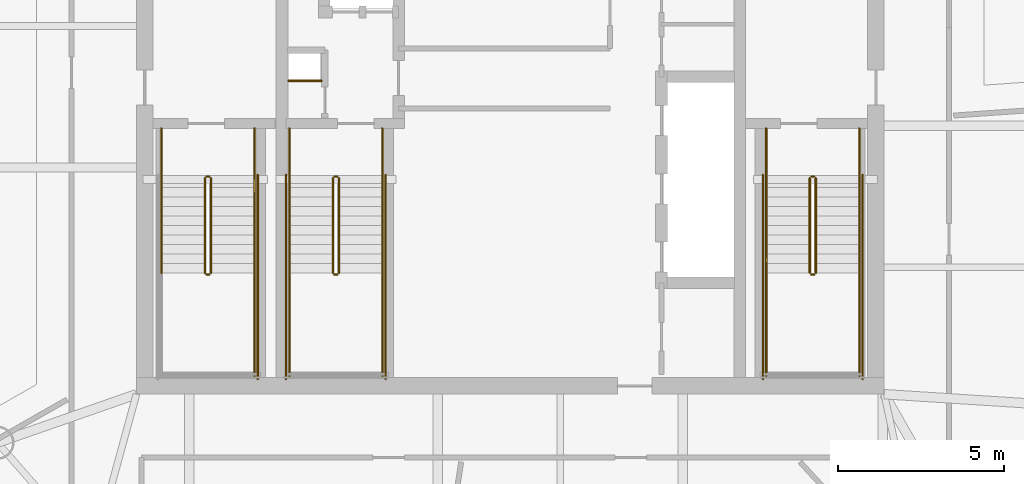
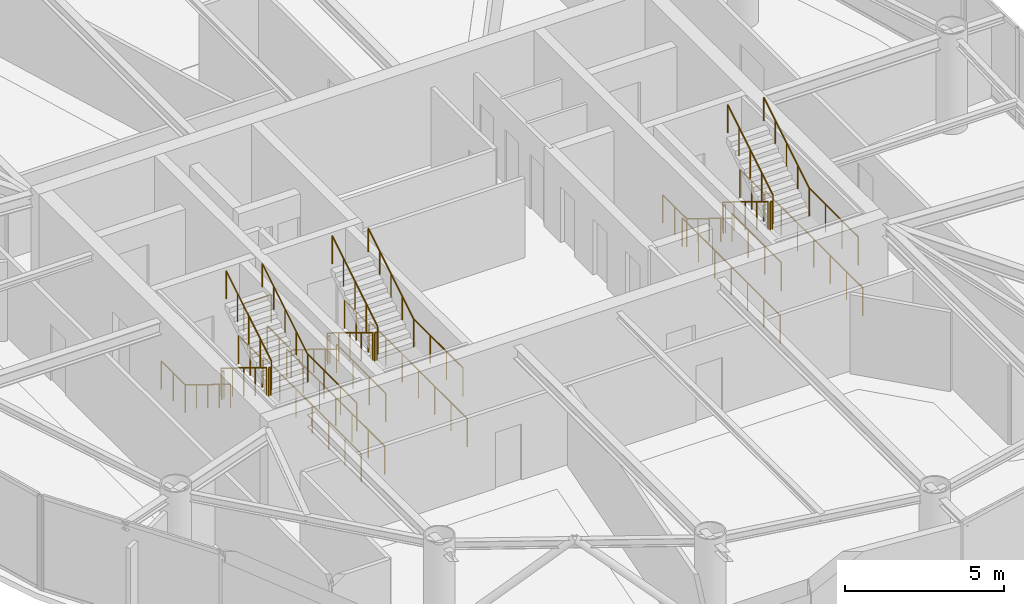
# One storey, part 18 of 19: 35 railings.
"""IFC4 building model written with IfcOpenShell, lengths in metres."""

from ifc_helpers import new_model, si_unit, direction, frame, origin, origin_2d, place, context, subcontext, project, spatial, circle, extrude, material, type_object, element, save


model = new_model("IFC4")

# Units and contexts
model_context = context("Model", 3, precision=1e-05, world=origin(), true_north=direction((0.0, 1.0)))
body_context = subcontext(model_context, "Body", "Model", "MODEL_VIEW")
ifc_project = project(units=[si_unit("LENGTHUNIT", "METRE"), si_unit("AREAUNIT", "SQUARE_METRE"), si_unit("VOLUMEUNIT", "CUBIC_METRE"), si_unit("PLANEANGLEUNIT", "RADIAN"), si_unit("MASSUNIT", "GRAM", prefix="KILO")], contexts=[model_context])

# Site, building, storey
site_placement = place(None, origin())
site = spatial("IfcSite", under=ifc_project, at=site_placement, CompositionType="ELEMENT")
building_placement = place(site_placement, origin())
building = spatial("IfcBuilding", under=site, at=building_placement, Name="Bramvorn Convention Spire", CompositionType="ELEMENT")
storey_placement = place(building_placement, frame((0.0, 0.0, 299.800048828125)))
storey = spatial("IfcBuildingStorey", under=building, at=storey_placement, Name="L76", CompositionType="ELEMENT", Elevation=299.800048828125)

# Railings
ifc_material_1 = material(Name="Painted Steel Balustrade & Guardrail", Category="steel")
railing_type_1 = type_object("IfcRailingType", Name="RL-STAIR-GUARD-1100", PredefinedType="GUARDRAIL", material=ifc_material_1)
railing_1_placement = place(storey_placement, frame((28.81005859375, 25.050048828125, 0.175048828125)))
element("IfcRailing", 1, at=railing_1_placement, inside=storey, type_object=railing_type_1, Name="L76 ST1 stair guard 1", PredefinedType="GUARDRAIL", context=body_context, shape_type="SweptSolid", body=[
    extrude(circle(Radius=0.02392578125, at=origin_2d()), frame((0.0, 0.0, 1.076171875), z_axis=(0.0, -0.852179220489, 0.52325001306), x_axis=(1.0, 0.0, 0.0)), (0.0, 0.0, 1.0), 3.344482421875),
    extrude(circle(Radius=0.02099609375, at=origin_2d()), origin(), (0.0, 0.0, 1.0), 1.052001953125),
    extrude(circle(Radius=0.02099609375, at=origin_2d()), frame((0.0, -0.71240234375, 0.4375)), (0.0, 0.0, 1.0), 1.052001953125),
    extrude(circle(Radius=0.02099609375, at=origin_2d()), frame((0.0, -1.425048828125, 0.875)), (0.0, 0.0, 1.0), 1.052001953125),
    extrude(circle(Radius=0.02099609375, at=origin_2d()), frame((0.0, -2.1376953125, 1.3125)), (0.0, 0.0, 1.0), 1.052001953125),
    extrude(circle(Radius=0.02099609375, at=origin_2d()), frame((0.0, -2.85009765625, 1.75)), (0.0, 0.0, 1.0), 1.052001953125),
])
railing_2_placement = place(storey_placement, frame((28.860107421875, 22.14990234375, 1.925048828125)))
element("IfcRailing", 2, at=railing_2_placement, inside=storey, type_object=railing_type_1, Name="L76 ST1 stair guard 2", PredefinedType="GUARDRAIL", context=body_context, shape_type="SweptSolid", body=[
    extrude(circle(Radius=0.02392578125, at=origin_2d()), frame((0.0, 0.0, 1.076171875), z_axis=(1.0, 0.0, 0.0), x_axis=(0.0, 1.0, 0.0)), (0.0, 0.0, 1.0), 0.079833984375),
    extrude(circle(Radius=0.02099609375, at=origin_2d()), origin(), (0.0, 0.0, 1.0), 1.052001953125),
    extrude(circle(Radius=0.02099609375, at=origin_2d()), frame((0.079833984375, 0.0, 0.0)), (0.0, 0.0, 1.0), 1.052001953125),
])
railing_3_placement = place(storey_placement, frame((30.300048828125, 22.199951171875, 1.925048828125)))
element("IfcRailing", 3, at=railing_3_placement, inside=storey, type_object=railing_type_1, Name="L76 ST1 stair guard 4", PredefinedType="GUARDRAIL", context=body_context, shape_type="SweptSolid", body=[
    extrude(circle(Radius=0.02392578125, at=origin_2d()), frame((0.0, 0.0, 1.076171875), z_axis=(0.0, -1.0, 0.0), x_axis=(1.0, 0.0, 0.0)), (0.0, 0.0, 1.0), 3.099853515625),
    extrude(circle(Radius=0.02099609375, at=origin_2d()), origin(), (0.0, 0.0, 1.0), 1.052001953125),
    extrude(circle(Radius=0.02099609375, at=origin_2d()), frame((0.0, -1.033203125, 0.0)), (0.0, 0.0, 1.0), 1.052001953125),
    extrude(circle(Radius=0.02099609375, at=origin_2d()), frame((0.0, -2.066650390625, 0.0)), (0.0, 0.0, 1.0), 1.052001953125),
    extrude(circle(Radius=0.02099609375, at=origin_2d()), frame((0.0, -3.099853515625, 0.0)), (0.0, 0.0, 1.0), 1.052001953125),
])
railing_4_placement = place(storey_placement, frame((28.989990234375, 22.199951171875, 2.099853515625)))
element("IfcRailing", 4, at=railing_4_placement, inside=storey, type_object=railing_type_1, Name="L76 ST1 stair guard 6", PredefinedType="GUARDRAIL", context=body_context, shape_type="SweptSolid", body=[
    extrude(circle(Radius=0.02392578125, at=origin_2d()), frame((0.0, 0.0, 1.076171875), z_axis=(0.0, 0.852179220489, 0.52325001306), x_axis=(-1.0, 0.0, 0.0)), (0.0, 0.0, 1.0), 3.344482421875),
    extrude(circle(Radius=0.02099609375, at=origin_2d()), origin(), (0.0, 0.0, 1.0), 1.052001953125),
    extrude(circle(Radius=0.02099609375, at=origin_2d()), frame((0.0, 0.71240234375, 0.4375)), (0.0, 0.0, 1.0), 1.052001953125),
    extrude(circle(Radius=0.02099609375, at=origin_2d()), frame((0.0, 1.425048828125, 0.875)), (0.0, 0.0, 1.0), 1.052001953125),
    extrude(circle(Radius=0.02099609375, at=origin_2d()), frame((0.0, 2.1376953125, 1.3125)), (0.0, 0.0, 1.0), 1.052001953125),
    extrude(circle(Radius=0.02099609375, at=origin_2d()), frame((0.0, 2.85009765625, 1.75)), (0.0, 0.0, 1.0), 1.052001953125),
])
railing_5_placement = place(storey_placement, frame((28.860107421875, 25.10009765625, 0.0)))
element("IfcRailing", 5, at=railing_5_placement, inside=storey, type_object=railing_type_1, Name="L76 ST1 stair guard 7", PredefinedType="GUARDRAIL", context=body_context, shape_type="SweptSolid", body=[
    extrude(circle(Radius=0.02392578125, at=origin_2d()), frame((0.0, 0.0, 1.076171875), z_axis=(1.0, 0.0, 0.0), x_axis=(0.0, 1.0, 0.0)), (0.0, 0.0, 1.0), 0.079833984375),
    extrude(circle(Radius=0.02099609375, at=origin_2d()), origin(), (0.0, 0.0, 1.0), 1.052001953125),
    extrude(circle(Radius=0.02099609375, at=origin_2d()), frame((0.079833984375, 0.0, 0.0)), (0.0, 0.0, 1.0), 1.052001953125),
])
for number, where, name in (
    (6, (27.5, 26.550048828125, 0.0), "L76 ST1 stair guard 8"),
    (7, (30.300048828125, 26.550048828125, 0.0), "L76 ST1 stair guard 9"),
):
    element("IfcRailing", number, at=place(storey_placement, frame(where)), inside=storey, type_object=railing_type_1, Name=name, PredefinedType="GUARDRAIL", context=body_context, shape_type="SweptSolid", body=[
        extrude(circle(Radius=0.02392578125, at=origin_2d()), frame((0.0, 0.0, 1.076171875), z_axis=(0.0, -1.0, 0.0), x_axis=(1.0, 0.0, 0.0)), (0.0, 0.0, 1.0), 1.5),
        extrude(circle(Radius=0.02099609375, at=origin_2d()), origin(), (0.0, 0.0, 1.0), 1.052001953125),
        extrude(circle(Radius=0.02099609375, at=origin_2d()), frame((0.0, -0.75, 0.0)), (0.0, 0.0, 1.0), 1.052001953125),
        extrude(circle(Radius=0.02099609375, at=origin_2d()), frame((0.0, -1.5, 0.0)), (0.0, 0.0, 1.0), 1.052001953125),
    ])
railing_6_placement = place(storey_placement, frame((30.39990234375, 25.14990234375, 0.0)))
element("IfcRailing", 8, at=railing_6_placement, inside=storey, type_object=railing_type_1, Name="L76 ST1 stair guard 11", PredefinedType="GUARDRAIL", context=body_context, shape_type="SweptSolid", body=[
    extrude(circle(Radius=0.02392578125, at=origin_2d()), frame((0.0, 0.0, 1.076171875), z_axis=(0.0, -1.0, 0.0), x_axis=(1.0, 0.0, 0.0)), (0.0, 0.0, 1.0), 6.14990234375),
    extrude(circle(Radius=0.02099609375, at=origin_2d()), origin(), (0.0, 0.0, 1.0), 1.052001953125),
    extrude(circle(Radius=0.02099609375, at=origin_2d()), frame((0.0, -1.02490234375, 0.0)), (0.0, 0.0, 1.0), 1.052001953125),
    extrude(circle(Radius=0.02099609375, at=origin_2d()), frame((0.0, -2.050048828125, 0.0)), (0.0, 0.0, 1.0), 1.052001953125),
    extrude(circle(Radius=0.02099609375, at=origin_2d()), frame((0.0, -3.074951171875, 0.0)), (0.0, 0.0, 1.0), 1.052001953125),
    extrude(circle(Radius=0.02099609375, at=origin_2d()), frame((0.0, -4.099853515625, 0.0)), (0.0, 0.0, 1.0), 1.052001953125),
    extrude(circle(Radius=0.02099609375, at=origin_2d()), frame((0.0, -5.125, 0.0)), (0.0, 0.0, 1.0), 1.052001953125),
    extrude(circle(Radius=0.02099609375, at=origin_2d()), frame((0.0, -6.14990234375, 0.0)), (0.0, 0.0, 1.0), 1.052001953125),
])
railing_7_placement = place(storey_placement, frame((47.010009765625, 25.050048828125, 0.175048828125)))
element("IfcRailing", 9, at=railing_7_placement, inside=storey, type_object=railing_type_1, Name="L76 ST2 stair guard 1", PredefinedType="GUARDRAIL", context=body_context, shape_type="SweptSolid", body=[
    extrude(circle(Radius=0.02392578125, at=origin_2d()), frame((0.0, 0.0, 1.076171875), z_axis=(0.0, -0.852179220489, 0.52325001306), x_axis=(1.0, 0.0, 0.0)), (0.0, 0.0, 1.0), 3.344482421875),
    extrude(circle(Radius=0.02099609375, at=origin_2d()), origin(), (0.0, 0.0, 1.0), 1.052001953125),
    extrude(circle(Radius=0.02099609375, at=origin_2d()), frame((0.0, -0.71240234375, 0.4375)), (0.0, 0.0, 1.0), 1.052001953125),
    extrude(circle(Radius=0.02099609375, at=origin_2d()), frame((0.0, -1.425048828125, 0.875)), (0.0, 0.0, 1.0), 1.052001953125),
    extrude(circle(Radius=0.02099609375, at=origin_2d()), frame((0.0, -2.1376953125, 1.3125)), (0.0, 0.0, 1.0), 1.052001953125),
    extrude(circle(Radius=0.02099609375, at=origin_2d()), frame((0.0, -2.85009765625, 1.75)), (0.0, 0.0, 1.0), 1.052001953125),
])
railing_8_placement = place(storey_placement, frame((47.06005859375, 22.14990234375, 1.925048828125)))
element("IfcRailing", 10, at=railing_8_placement, inside=storey, type_object=railing_type_1, Name="L76 ST2 stair guard 2", PredefinedType="GUARDRAIL", context=body_context, shape_type="SweptSolid", body=[
    extrude(circle(Radius=0.02392578125, at=origin_2d()), frame((0.0, 0.0, 1.076171875), z_axis=(1.0, 0.0, 0.0), x_axis=(0.0, 1.0, 0.0)), (0.0, 0.0, 1.0), 0.079833984375),
    extrude(circle(Radius=0.02099609375, at=origin_2d()), origin(), (0.0, 0.0, 1.0), 1.052001953125),
    extrude(circle(Radius=0.02099609375, at=origin_2d()), frame((0.079833984375, 0.0, 0.0)), (0.0, 0.0, 1.0), 1.052001953125),
])
for number, where, name in (
    (11, (45.699951171875, 22.199951171875, 1.925048828125), "L76 ST2 stair guard 3"),
    (12, (48.5, 22.199951171875, 1.925048828125), "L76 ST2 stair guard 4"),
):
    element("IfcRailing", number, at=place(storey_placement, frame(where)), inside=storey, type_object=railing_type_1, Name=name, PredefinedType="GUARDRAIL", context=body_context, shape_type="SweptSolid", body=[
        extrude(circle(Radius=0.02392578125, at=origin_2d()), frame((0.0, 0.0, 1.076171875), z_axis=(0.0, -1.0, 0.0), x_axis=(1.0, 0.0, 0.0)), (0.0, 0.0, 1.0), 3.099853515625),
        extrude(circle(Radius=0.02099609375, at=origin_2d()), origin(), (0.0, 0.0, 1.0), 1.052001953125),
        extrude(circle(Radius=0.02099609375, at=origin_2d()), frame((0.0, -1.033203125, 0.0)), (0.0, 0.0, 1.0), 1.052001953125),
        extrude(circle(Radius=0.02099609375, at=origin_2d()), frame((0.0, -2.066650390625, 0.0)), (0.0, 0.0, 1.0), 1.052001953125),
        extrude(circle(Radius=0.02099609375, at=origin_2d()), frame((0.0, -3.099853515625, 0.0)), (0.0, 0.0, 1.0), 1.052001953125),
    ])
railing_9_placement = place(storey_placement, frame((47.18994140625, 22.199951171875, 2.099853515625)))
element("IfcRailing", 13, at=railing_9_placement, inside=storey, type_object=railing_type_1, Name="L76 ST2 stair guard 6", PredefinedType="GUARDRAIL", context=body_context, shape_type="SweptSolid", body=[
    extrude(circle(Radius=0.02392578125, at=origin_2d()), frame((0.0, 0.0, 1.076171875), z_axis=(0.0, 0.852179220489, 0.52325001306), x_axis=(-1.0, 0.0, 0.0)), (0.0, 0.0, 1.0), 3.344482421875),
    extrude(circle(Radius=0.02099609375, at=origin_2d()), origin(), (0.0, 0.0, 1.0), 1.052001953125),
    extrude(circle(Radius=0.02099609375, at=origin_2d()), frame((0.0, 0.71240234375, 0.4375)), (0.0, 0.0, 1.0), 1.052001953125),
    extrude(circle(Radius=0.02099609375, at=origin_2d()), frame((0.0, 1.425048828125, 0.875)), (0.0, 0.0, 1.0), 1.052001953125),
    extrude(circle(Radius=0.02099609375, at=origin_2d()), frame((0.0, 2.1376953125, 1.3125)), (0.0, 0.0, 1.0), 1.052001953125),
    extrude(circle(Radius=0.02099609375, at=origin_2d()), frame((0.0, 2.85009765625, 1.75)), (0.0, 0.0, 1.0), 1.052001953125),
])
railing_10_placement = place(storey_placement, frame((47.06005859375, 25.10009765625, 0.0)))
element("IfcRailing", 14, at=railing_10_placement, inside=storey, type_object=railing_type_1, Name="L76 ST2 stair guard 7", PredefinedType="GUARDRAIL", context=body_context, shape_type="SweptSolid", body=[
    extrude(circle(Radius=0.02392578125, at=origin_2d()), frame((0.0, 0.0, 1.076171875), z_axis=(1.0, 0.0, 0.0), x_axis=(0.0, 1.0, 0.0)), (0.0, 0.0, 1.0), 0.079833984375),
    extrude(circle(Radius=0.02099609375, at=origin_2d()), origin(), (0.0, 0.0, 1.0), 1.052001953125),
    extrude(circle(Radius=0.02099609375, at=origin_2d()), frame((0.079833984375, 0.0, 0.0)), (0.0, 0.0, 1.0), 1.052001953125),
])
for number, where, name in (
    (15, (45.699951171875, 26.550048828125, 0.0), "L76 ST2 stair guard 8"),
    (16, (48.5, 26.550048828125, 0.0), "L76 ST2 stair guard 9"),
):
    element("IfcRailing", number, at=place(storey_placement, frame(where)), inside=storey, type_object=railing_type_1, Name=name, PredefinedType="GUARDRAIL", context=body_context, shape_type="SweptSolid", body=[
        extrude(circle(Radius=0.02392578125, at=origin_2d()), frame((0.0, 0.0, 1.076171875), z_axis=(0.0, -1.0, 0.0), x_axis=(1.0, 0.0, 0.0)), (0.0, 0.0, 1.0), 1.5),
        extrude(circle(Radius=0.02099609375, at=origin_2d()), origin(), (0.0, 0.0, 1.0), 1.052001953125),
        extrude(circle(Radius=0.02099609375, at=origin_2d()), frame((0.0, -0.75, 0.0)), (0.0, 0.0, 1.0), 1.052001953125),
        extrude(circle(Radius=0.02099609375, at=origin_2d()), frame((0.0, -1.5, 0.0)), (0.0, 0.0, 1.0), 1.052001953125),
    ])
for number, where, name in (
    (17, (45.60009765625, 25.14990234375, 0.0), "L76 ST2 stair guard 10"),
    (18, (48.60009765625, 25.14990234375, 0.0), "L76 ST2 stair guard 11"),
):
    element("IfcRailing", number, at=place(storey_placement, frame(where)), inside=storey, type_object=railing_type_1, Name=name, PredefinedType="GUARDRAIL", context=body_context, shape_type="SweptSolid", body=[
        extrude(circle(Radius=0.02392578125, at=origin_2d()), frame((0.0, 0.0, 1.076171875), z_axis=(0.0, -1.0, 0.0), x_axis=(1.0, 0.0, 0.0)), (0.0, 0.0, 1.0), 6.14990234375),
        extrude(circle(Radius=0.02099609375, at=origin_2d()), origin(), (0.0, 0.0, 1.0), 1.052001953125),
        extrude(circle(Radius=0.02099609375, at=origin_2d()), frame((0.0, -1.02490234375, 0.0)), (0.0, 0.0, 1.0), 1.052001953125),
        extrude(circle(Radius=0.02099609375, at=origin_2d()), frame((0.0, -2.050048828125, 0.0)), (0.0, 0.0, 1.0), 1.052001953125),
        extrude(circle(Radius=0.02099609375, at=origin_2d()), frame((0.0, -3.074951171875, 0.0)), (0.0, 0.0, 1.0), 1.052001953125),
        extrude(circle(Radius=0.02099609375, at=origin_2d()), frame((0.0, -4.099853515625, 0.0)), (0.0, 0.0, 1.0), 1.052001953125),
        extrude(circle(Radius=0.02099609375, at=origin_2d()), frame((0.0, -5.125, 0.0)), (0.0, 0.0, 1.0), 1.052001953125),
        extrude(circle(Radius=0.02099609375, at=origin_2d()), frame((0.0, -6.14990234375, 0.0)), (0.0, 0.0, 1.0), 1.052001953125),
    ])
railing_11_placement = place(storey_placement, frame((32.659912109375, 25.050048828125, 0.175048828125)))
element("IfcRailing", 19, at=railing_11_placement, inside=storey, type_object=railing_type_1, Name="L76 ST3 stair guard 1", PredefinedType="GUARDRAIL", context=body_context, shape_type="SweptSolid", body=[
    extrude(circle(Radius=0.02392578125, at=origin_2d()), frame((0.0, 0.0, 1.076171875), z_axis=(0.0, -0.852179220489, 0.52325001306), x_axis=(1.0, 0.0, 0.0)), (0.0, 0.0, 1.0), 3.344482421875),
    extrude(circle(Radius=0.02099609375, at=origin_2d()), origin(), (0.0, 0.0, 1.0), 1.052001953125),
    extrude(circle(Radius=0.02099609375, at=origin_2d()), frame((0.0, -0.71240234375, 0.4375)), (0.0, 0.0, 1.0), 1.052001953125),
    extrude(circle(Radius=0.02099609375, at=origin_2d()), frame((0.0, -1.425048828125, 0.875)), (0.0, 0.0, 1.0), 1.052001953125),
    extrude(circle(Radius=0.02099609375, at=origin_2d()), frame((0.0, -2.1376953125, 1.3125)), (0.0, 0.0, 1.0), 1.052001953125),
    extrude(circle(Radius=0.02099609375, at=origin_2d()), frame((0.0, -2.85009765625, 1.75)), (0.0, 0.0, 1.0), 1.052001953125),
])
railing_12_placement = place(storey_placement, frame((32.7099609375, 22.14990234375, 1.925048828125)))
element("IfcRailing", 20, at=railing_12_placement, inside=storey, type_object=railing_type_1, Name="L76 ST3 stair guard 2", PredefinedType="GUARDRAIL", context=body_context, shape_type="SweptSolid", body=[
    extrude(circle(Radius=0.02392578125, at=origin_2d()), frame((0.0, 0.0, 1.076171875), z_axis=(1.0, 0.0, 0.0), x_axis=(0.0, 1.0, 0.0)), (0.0, 0.0, 1.0), 0.080078125),
    extrude(circle(Radius=0.02099609375, at=origin_2d()), origin(), (0.0, 0.0, 1.0), 1.052001953125),
    extrude(circle(Radius=0.02099609375, at=origin_2d()), frame((0.080078125, 0.0, 0.0)), (0.0, 0.0, 1.0), 1.052001953125),
])
for number, where, name in (
    (21, (31.35009765625, 22.199951171875, 1.925048828125), "L76 ST3 stair guard 3"),
    (22, (34.14990234375, 22.199951171875, 1.925048828125), "L76 ST3 stair guard 4"),
):
    element("IfcRailing", number, at=place(storey_placement, frame(where)), inside=storey, type_object=railing_type_1, Name=name, PredefinedType="GUARDRAIL", context=body_context, shape_type="SweptSolid", body=[
        extrude(circle(Radius=0.02392578125, at=origin_2d()), frame((0.0, 0.0, 1.076171875), z_axis=(0.0, -1.0, 0.0), x_axis=(1.0, 0.0, 0.0)), (0.0, 0.0, 1.0), 3.099853515625),
        extrude(circle(Radius=0.02099609375, at=origin_2d()), origin(), (0.0, 0.0, 1.0), 1.052001953125),
        extrude(circle(Radius=0.02099609375, at=origin_2d()), frame((0.0, -1.033203125, 0.0)), (0.0, 0.0, 1.0), 1.052001953125),
        extrude(circle(Radius=0.02099609375, at=origin_2d()), frame((0.0, -2.066650390625, 0.0)), (0.0, 0.0, 1.0), 1.052001953125),
        extrude(circle(Radius=0.02099609375, at=origin_2d()), frame((0.0, -3.099853515625, 0.0)), (0.0, 0.0, 1.0), 1.052001953125),
    ])
railing_13_placement = place(storey_placement, frame((32.840087890625, 22.199951171875, 2.099853515625)))
element("IfcRailing", 23, at=railing_13_placement, inside=storey, type_object=railing_type_1, Name="L76 ST3 stair guard 6", PredefinedType="GUARDRAIL", context=body_context, shape_type="SweptSolid", body=[
    extrude(circle(Radius=0.02392578125, at=origin_2d()), frame((0.0, 0.0, 1.076171875), z_axis=(0.0, 0.852179220489, 0.52325001306), x_axis=(-1.0, 0.0, 0.0)), (0.0, 0.0, 1.0), 3.344482421875),
    extrude(circle(Radius=0.02099609375, at=origin_2d()), origin(), (0.0, 0.0, 1.0), 1.052001953125),
    extrude(circle(Radius=0.02099609375, at=origin_2d()), frame((0.0, 0.71240234375, 0.4375)), (0.0, 0.0, 1.0), 1.052001953125),
    extrude(circle(Radius=0.02099609375, at=origin_2d()), frame((0.0, 1.425048828125, 0.875)), (0.0, 0.0, 1.0), 1.052001953125),
    extrude(circle(Radius=0.02099609375, at=origin_2d()), frame((0.0, 2.1376953125, 1.3125)), (0.0, 0.0, 1.0), 1.052001953125),
    extrude(circle(Radius=0.02099609375, at=origin_2d()), frame((0.0, 2.85009765625, 1.75)), (0.0, 0.0, 1.0), 1.052001953125),
])
railing_14_placement = place(storey_placement, frame((32.7099609375, 25.10009765625, 0.0)))
element("IfcRailing", 24, at=railing_14_placement, inside=storey, type_object=railing_type_1, Name="L76 ST3 stair guard 7", PredefinedType="GUARDRAIL", context=body_context, shape_type="SweptSolid", body=[
    extrude(circle(Radius=0.02392578125, at=origin_2d()), frame((0.0, 0.0, 1.076171875), z_axis=(1.0, 0.0, 0.0), x_axis=(0.0, 1.0, 0.0)), (0.0, 0.0, 1.0), 0.080078125),
    extrude(circle(Radius=0.02099609375, at=origin_2d()), origin(), (0.0, 0.0, 1.0), 1.052001953125),
    extrude(circle(Radius=0.02099609375, at=origin_2d()), frame((0.080078125, 0.0, 0.0)), (0.0, 0.0, 1.0), 1.052001953125),
])
for number, where, name in (
    (25, (31.35009765625, 26.550048828125, 0.0), "L76 ST3 stair guard 8"),
    (26, (34.14990234375, 26.550048828125, 0.0), "L76 ST3 stair guard 9"),
):
    element("IfcRailing", number, at=place(storey_placement, frame(where)), inside=storey, type_object=railing_type_1, Name=name, PredefinedType="GUARDRAIL", context=body_context, shape_type="SweptSolid", body=[
        extrude(circle(Radius=0.02392578125, at=origin_2d()), frame((0.0, 0.0, 1.076171875), z_axis=(0.0, -1.0, 0.0), x_axis=(1.0, 0.0, 0.0)), (0.0, 0.0, 1.0), 1.5),
        extrude(circle(Radius=0.02099609375, at=origin_2d()), origin(), (0.0, 0.0, 1.0), 1.052001953125),
        extrude(circle(Radius=0.02099609375, at=origin_2d()), frame((0.0, -0.75, 0.0)), (0.0, 0.0, 1.0), 1.052001953125),
        extrude(circle(Radius=0.02099609375, at=origin_2d()), frame((0.0, -1.5, 0.0)), (0.0, 0.0, 1.0), 1.052001953125),
    ])
for number, where, name in (
    (27, (31.25, 25.14990234375, 0.0), "L76 ST3 stair guard 10"),
    (28, (34.25, 25.14990234375, 0.0), "L76 ST3 stair guard 11"),
):
    element("IfcRailing", number, at=place(storey_placement, frame(where)), inside=storey, type_object=railing_type_1, Name=name, PredefinedType="GUARDRAIL", context=body_context, shape_type="SweptSolid", body=[
        extrude(circle(Radius=0.02392578125, at=origin_2d()), frame((0.0, 0.0, 1.076171875), z_axis=(0.0, -1.0, 0.0), x_axis=(1.0, 0.0, 0.0)), (0.0, 0.0, 1.0), 6.14990234375),
        extrude(circle(Radius=0.02099609375, at=origin_2d()), origin(), (0.0, 0.0, 1.0), 1.052001953125),
        extrude(circle(Radius=0.02099609375, at=origin_2d()), frame((0.0, -1.02490234375, 0.0)), (0.0, 0.0, 1.0), 1.052001953125),
        extrude(circle(Radius=0.02099609375, at=origin_2d()), frame((0.0, -2.050048828125, 0.0)), (0.0, 0.0, 1.0), 1.052001953125),
        extrude(circle(Radius=0.02099609375, at=origin_2d()), frame((0.0, -3.074951171875, 0.0)), (0.0, 0.0, 1.0), 1.052001953125),
        extrude(circle(Radius=0.02099609375, at=origin_2d()), frame((0.0, -4.099853515625, 0.0)), (0.0, 0.0, 1.0), 1.052001953125),
        extrude(circle(Radius=0.02099609375, at=origin_2d()), frame((0.0, -5.125, 0.0)), (0.0, 0.0, 1.0), 1.052001953125),
        extrude(circle(Radius=0.02099609375, at=origin_2d()), frame((0.0, -6.14990234375, 0.0)), (0.0, 0.0, 1.0), 1.052001953125),
    ])
railing_15_placement = place(storey_placement, frame((31.320068359375, 27.97998046875, 0.0)))
element("IfcRailing", 29, at=railing_15_placement, inside=storey, type_object=railing_type_1, Name="L76 Telecom riser shaft opening safety guardrail", PredefinedType="GUARDRAIL", context=body_context, shape_type="SweptSolid", body=[
    extrude(circle(Radius=0.02392578125, at=origin_2d()), frame((0.0, 0.0, 1.076171875), z_axis=(1.0, 0.0, 0.0), x_axis=(0.0, 1.0, 0.0)), (0.0, 0.0, 1.0), 1.0),
    extrude(circle(Radius=0.02099609375, at=origin_2d()), origin(), (0.0, 0.0, 1.0), 1.052001953125),
    extrude(circle(Radius=0.02099609375, at=origin_2d()), frame((1.0, 0.0, 0.0)), (0.0, 0.0, 1.0), 1.052001953125),
])
ifc_material_2 = material(Name="Brushed Bronze Tubular Handrail", Category="aluminium")
railing_type_2 = type_object("IfcRailingType", Name="RL-STAIR-HR-920", PredefinedType="HANDRAIL", material=ifc_material_2)
railing_16_placement = place(storey_placement, frame((27.5, 25.050048828125, 0.175048828125)))
element("IfcRailing", 30, at=railing_16_placement, inside=storey, type_object=railing_type_2, Name="L76 ST1 stair handrail 1", PredefinedType="HANDRAIL", context=body_context, shape_type="SweptSolid", body=[
    extrude(circle(Radius=0.02392578125, at=origin_2d()), frame((0.0, 0.0, 0.89599609375), z_axis=(0.0, -0.852179220489, 0.52325001306), x_axis=(1.0, 0.0, 0.0)), (0.0, 0.0, 1.0), 3.344482421875),
    extrude(circle(Radius=0.02099609375, at=origin_2d()), origin(), (0.0, 0.0, 1.0), 0.871826171875),
    extrude(circle(Radius=0.02099609375, at=origin_2d()), frame((0.0, -0.71240234375, 0.4375)), (0.0, 0.0, 1.0), 0.871826171875),
    extrude(circle(Radius=0.02099609375, at=origin_2d()), frame((0.0, -1.425048828125, 0.875)), (0.0, 0.0, 1.0), 0.871826171875),
    extrude(circle(Radius=0.02099609375, at=origin_2d()), frame((0.0, -2.1376953125, 1.3125)), (0.0, 0.0, 1.0), 0.871826171875),
    extrude(circle(Radius=0.02099609375, at=origin_2d()), frame((0.0, -2.85009765625, 1.75)), (0.0, 0.0, 1.0), 0.871826171875),
])
railing_17_placement = place(storey_placement, frame((30.300048828125, 22.199951171875, 2.099853515625)))
element("IfcRailing", 31, at=railing_17_placement, inside=storey, type_object=railing_type_2, Name="L76 ST1 stair handrail 2", PredefinedType="HANDRAIL", context=body_context, shape_type="SweptSolid", body=[
    extrude(circle(Radius=0.02392578125, at=origin_2d()), frame((0.0, 0.0, 0.89599609375), z_axis=(0.0, 0.852179220489, 0.52325001306), x_axis=(-1.0, 0.0, 0.0)), (0.0, 0.0, 1.0), 3.344482421875),
    extrude(circle(Radius=0.02099609375, at=origin_2d()), origin(), (0.0, 0.0, 1.0), 0.871826171875),
    extrude(circle(Radius=0.02099609375, at=origin_2d()), frame((0.0, 0.71240234375, 0.4375)), (0.0, 0.0, 1.0), 0.871826171875),
    extrude(circle(Radius=0.02099609375, at=origin_2d()), frame((0.0, 1.425048828125, 0.875)), (0.0, 0.0, 1.0), 0.871826171875),
    extrude(circle(Radius=0.02099609375, at=origin_2d()), frame((0.0, 2.1376953125, 1.3125)), (0.0, 0.0, 1.0), 0.871826171875),
    extrude(circle(Radius=0.02099609375, at=origin_2d()), frame((0.0, 2.85009765625, 1.75)), (0.0, 0.0, 1.0), 0.871826171875),
])
railing_18_placement = place(storey_placement, frame((45.699951171875, 25.050048828125, 0.175048828125)))
element("IfcRailing", 32, at=railing_18_placement, inside=storey, type_object=railing_type_2, Name="L76 ST2 stair handrail 1", PredefinedType="HANDRAIL", context=body_context, shape_type="SweptSolid", body=[
    extrude(circle(Radius=0.02392578125, at=origin_2d()), frame((0.0, 0.0, 0.89599609375), z_axis=(0.0, -0.852179220489, 0.52325001306), x_axis=(1.0, 0.0, 0.0)), (0.0, 0.0, 1.0), 3.344482421875),
    extrude(circle(Radius=0.02099609375, at=origin_2d()), origin(), (0.0, 0.0, 1.0), 0.871826171875),
    extrude(circle(Radius=0.02099609375, at=origin_2d()), frame((0.0, -0.71240234375, 0.4375)), (0.0, 0.0, 1.0), 0.871826171875),
    extrude(circle(Radius=0.02099609375, at=origin_2d()), frame((0.0, -1.425048828125, 0.875)), (0.0, 0.0, 1.0), 0.871826171875),
    extrude(circle(Radius=0.02099609375, at=origin_2d()), frame((0.0, -2.1376953125, 1.3125)), (0.0, 0.0, 1.0), 0.871826171875),
    extrude(circle(Radius=0.02099609375, at=origin_2d()), frame((0.0, -2.85009765625, 1.75)), (0.0, 0.0, 1.0), 0.871826171875),
])
railing_19_placement = place(storey_placement, frame((48.5, 22.199951171875, 2.099853515625)))
element("IfcRailing", 33, at=railing_19_placement, inside=storey, type_object=railing_type_2, Name="L76 ST2 stair handrail 2", PredefinedType="HANDRAIL", context=body_context, shape_type="SweptSolid", body=[
    extrude(circle(Radius=0.02392578125, at=origin_2d()), frame((0.0, 0.0, 0.89599609375), z_axis=(0.0, 0.852179220489, 0.52325001306), x_axis=(-1.0, 0.0, 0.0)), (0.0, 0.0, 1.0), 3.344482421875),
    extrude(circle(Radius=0.02099609375, at=origin_2d()), origin(), (0.0, 0.0, 1.0), 0.871826171875),
    extrude(circle(Radius=0.02099609375, at=origin_2d()), frame((0.0, 0.71240234375, 0.4375)), (0.0, 0.0, 1.0), 0.871826171875),
    extrude(circle(Radius=0.02099609375, at=origin_2d()), frame((0.0, 1.425048828125, 0.875)), (0.0, 0.0, 1.0), 0.871826171875),
    extrude(circle(Radius=0.02099609375, at=origin_2d()), frame((0.0, 2.1376953125, 1.3125)), (0.0, 0.0, 1.0), 0.871826171875),
    extrude(circle(Radius=0.02099609375, at=origin_2d()), frame((0.0, 2.85009765625, 1.75)), (0.0, 0.0, 1.0), 0.871826171875),
])
railing_20_placement = place(storey_placement, frame((31.35009765625, 25.050048828125, 0.175048828125)))
element("IfcRailing", 34, at=railing_20_placement, inside=storey, type_object=railing_type_2, Name="L76 ST3 stair handrail 1", PredefinedType="HANDRAIL", context=body_context, shape_type="SweptSolid", body=[
    extrude(circle(Radius=0.02392578125, at=origin_2d()), frame((0.0, 0.0, 0.89599609375), z_axis=(0.0, -0.852179220489, 0.52325001306), x_axis=(1.0, 0.0, 0.0)), (0.0, 0.0, 1.0), 3.344482421875),
    extrude(circle(Radius=0.02099609375, at=origin_2d()), origin(), (0.0, 0.0, 1.0), 0.871826171875),
    extrude(circle(Radius=0.02099609375, at=origin_2d()), frame((0.0, -0.71240234375, 0.4375)), (0.0, 0.0, 1.0), 0.871826171875),
    extrude(circle(Radius=0.02099609375, at=origin_2d()), frame((0.0, -1.425048828125, 0.875)), (0.0, 0.0, 1.0), 0.871826171875),
    extrude(circle(Radius=0.02099609375, at=origin_2d()), frame((0.0, -2.1376953125, 1.3125)), (0.0, 0.0, 1.0), 0.871826171875),
    extrude(circle(Radius=0.02099609375, at=origin_2d()), frame((0.0, -2.85009765625, 1.75)), (0.0, 0.0, 1.0), 0.871826171875),
])
railing_21_placement = place(storey_placement, frame((34.14990234375, 22.199951171875, 2.099853515625)))
element("IfcRailing", 35, at=railing_21_placement, inside=storey, type_object=railing_type_2, Name="L76 ST3 stair handrail 2", PredefinedType="HANDRAIL", context=body_context, shape_type="SweptSolid", body=[
    extrude(circle(Radius=0.02392578125, at=origin_2d()), frame((0.0, 0.0, 0.89599609375), z_axis=(0.0, 0.852179220489, 0.52325001306), x_axis=(-1.0, 0.0, 0.0)), (0.0, 0.0, 1.0), 3.344482421875),
    extrude(circle(Radius=0.02099609375, at=origin_2d()), origin(), (0.0, 0.0, 1.0), 0.871826171875),
    extrude(circle(Radius=0.02099609375, at=origin_2d()), frame((0.0, 0.71240234375, 0.4375)), (0.0, 0.0, 1.0), 0.871826171875),
    extrude(circle(Radius=0.02099609375, at=origin_2d()), frame((0.0, 1.425048828125, 0.875)), (0.0, 0.0, 1.0), 0.871826171875),
    extrude(circle(Radius=0.02099609375, at=origin_2d()), frame((0.0, 2.1376953125, 1.3125)), (0.0, 0.0, 1.0), 0.871826171875),
    extrude(circle(Radius=0.02099609375, at=origin_2d()), frame((0.0, 2.85009765625, 1.75)), (0.0, 0.0, 1.0), 0.871826171875),
])

save(model, "model.ifc")
